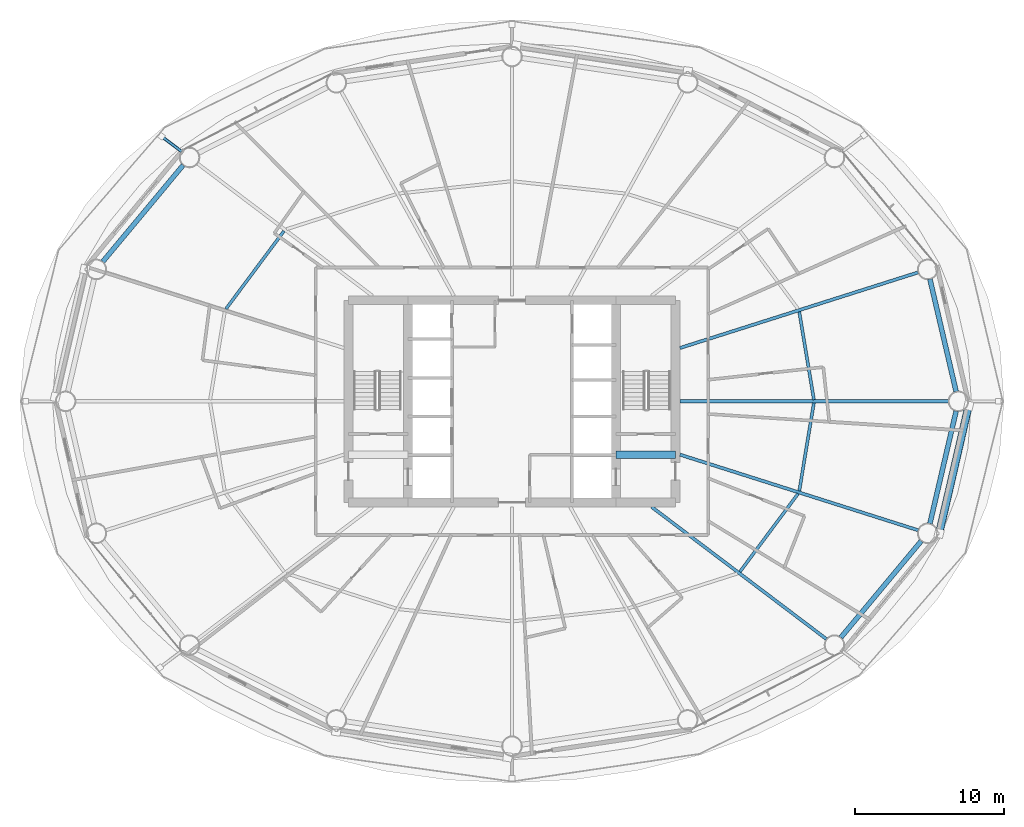
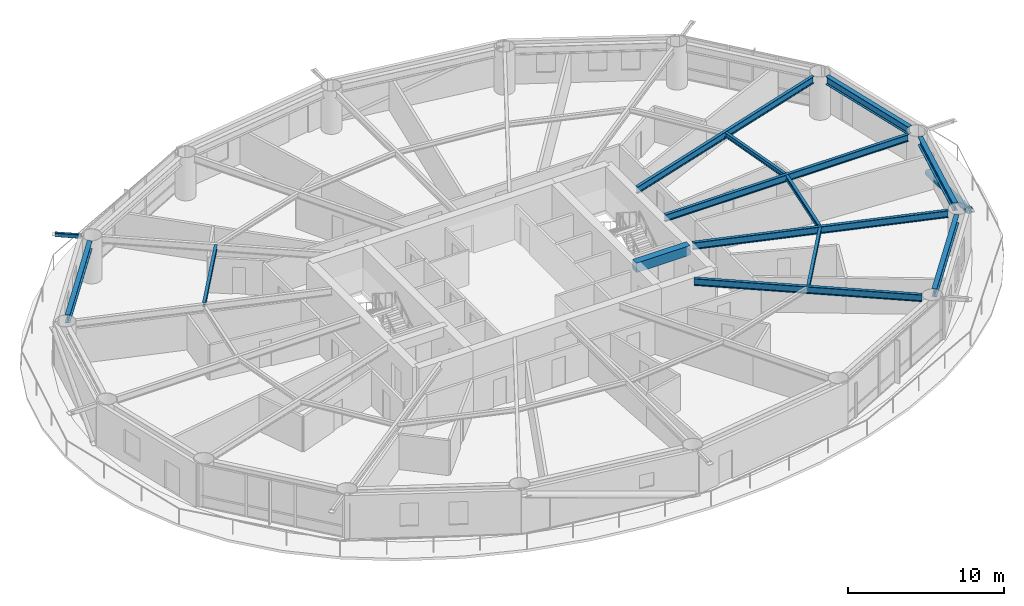
# One storey, part 9 of 26: 13 beams, 2 members.
"""IFC4 building model written with IfcOpenShell, lengths in metres."""

from ifc_helpers import new_model, si_unit, direction, frame, origin, origin_2d, place, context, subcontext, project, spatial, rectangle, hollow_rectangle, hollow_circle, i_section, extrude, material, material_profile, profile_set, type_object, element, save


model = new_model("IFC4")

# Units and contexts
model_context = context("Model", 3, precision=1e-05, world=origin(), true_north=direction((0.0, 1.0)))
body_context = subcontext(model_context, "Body", "Model", "MODEL_VIEW")
ifc_project = project(units=[si_unit("LENGTHUNIT", "METRE"), si_unit("AREAUNIT", "SQUARE_METRE"), si_unit("VOLUMEUNIT", "CUBIC_METRE"), si_unit("PLANEANGLEUNIT", "RADIAN"), si_unit("MASSUNIT", "GRAM", prefix="KILO")], contexts=[model_context])

# Site, building, storey
site_placement = place(None, origin())
site = spatial("IfcSite", under=ifc_project, at=site_placement, CompositionType="ELEMENT")
building_placement = place(site_placement, origin())
building = spatial("IfcBuilding", under=site, at=building_placement, Name="Sarneth Arch Tower", CompositionType="ELEMENT")
storey_placement = place(building_placement, frame((0.0, 0.0, 49.800048828125)))
storey = spatial("IfcBuildingStorey", under=building, at=storey_placement, Name="L11", CompositionType="ELEMENT", Elevation=49.800048828125)

# Beams
ifc_material_1 = material(Name="Steel S355", Category="steel")
ifc_material_profile_1 = material_profile(ifc_material_1, i_section(OverallWidth=0.2041015625, OverallDepth=0.35009765625, WebThickness=0.008544921875, FlangeThickness=0.01513671875, FilletRadius=0.014892578125, at=origin_2d()), Name="W360x72")
ifc_profile_set_1 = profile_set([ifc_material_profile_1], Name="Steel S355")
beam_type_1 = type_object("IfcBeamType", Name="BM-JOIST-360D", PredefinedType="JOIST", material=ifc_profile_set_1)
beam_1_placement = place(storey_placement, frame((68.312255859375, 42.10546875, 3.204833984375), z_axis=(-0.163917352659, 0.986474075431, 0.0), x_axis=(-0.986474075431, -0.163917352659, 0.0)))
element("IfcBeam", 1, at=beam_1_placement, inside=storey, type_object=beam_type_1, Name="L11 Secondary floor joist 01", PredefinedType="JOIST", context=body_context, shape_type="SweptSolid", body=[
    extrude(i_section(OverallWidth=0.2041015625, OverallDepth=0.35009765625, WebThickness=0.008544921875, FlangeThickness=0.01513671875, FilletRadius=0.014892578125, at=origin_2d()), origin(), (0.0, 0.0, 1.0), 6.000732421875),
])
for number, where, z_axis, x_axis, name in (
    (2, (32.661865234375, 53.463134765625, 3.204833984375), (-0.597453564101, -0.801903509621, 0.0), (0.801903509621, -0.597453564101, 0.0), "L11 Secondary floor joist 07"),
    (3, (63.338134765625, 30.536865234375, 3.204833984375), (0.597453564101, 0.801903509621, 0.0), (-0.801903509621, 0.597453564101, 0.0), "L11 Secondary floor joist 15"),
):
    element("IfcBeam", number, at=place(storey_placement, frame(where, z_axis=z_axis, x_axis=x_axis)), inside=storey, type_object=beam_type_1, Name=name, PredefinedType="JOIST", context=body_context, shape_type="SweptSolid", body=[
        extrude(i_section(OverallWidth=0.2041015625, OverallDepth=0.35009765625, WebThickness=0.008544921875, FlangeThickness=0.01513671875, FilletRadius=0.014892578125, at=origin_2d()), origin(), (0.0, 0.0, 1.0), 6.542724609375),
    ])
beam_2_placement = place(storey_placement, frame((67.32861328125, 35.974853515625, 3.204833984375), z_axis=(0.163917352659, 0.986474075431, 0.0), x_axis=(-0.986474075431, 0.163917352659, 0.0)))
element("IfcBeam", 4, at=beam_2_placement, inside=storey, type_object=beam_type_1, Name="L11 Secondary floor joist 16", PredefinedType="JOIST", context=body_context, shape_type="SweptSolid", body=[
    extrude(i_section(OverallWidth=0.2041015625, OverallDepth=0.35009765625, WebThickness=0.008544921875, FlangeThickness=0.01513671875, FilletRadius=0.014892578125, at=origin_2d()), origin(), (0.0, 0.0, 1.0), 6.000732421875),
])
ifc_material_2 = material(Name="Concrete C50/60", Category="concrete")
ifc_material_profile_2 = material_profile(ifc_material_2, rectangle(XDim=0.5, YDim=0.75, at=origin_2d()), Name="RC-500x750")
ifc_profile_set_2 = profile_set([ifc_material_profile_2], Name="Concrete C50/60")
beam_type_2 = type_object("IfcBeamType", Name="BM-LINTEL-RC", PredefinedType="LINTEL", material=ifc_profile_set_2)
beam_3_placement = place(storey_placement, frame((55.0, 38.39990234375, 3.0048828125), z_axis=(1.0, 0.0, 0.0), x_axis=(0.0, 1.0, 0.0)))
element("IfcBeam", 5, at=beam_3_placement, inside=storey, type_object=beam_type_2, Name="L11 Core coupling lintel E", PredefinedType="LINTEL", context=body_context, shape_type="SweptSolid", body=[
    extrude(rectangle(XDim=0.5, YDim=0.75, at=origin_2d()), origin(), (0.0, 0.0, 1.0), 4.0),
])
ifc_material_3 = material(Name="Steel S355", Category="steel")
ifc_material_profile_3 = material_profile(ifc_material_3, i_section(OverallWidth=0.214111328125, OverallDepth=0.549072265625, WebThickness=0.0146484375, FlangeThickness=0.023681640625, FilletRadius=0.01806640625, at=origin_2d()), Name="W530x138")
ifc_profile_set_3 = profile_set([ifc_material_profile_3], Name="Steel S355")
beam_type_3 = type_object("IfcBeamType", Name="BM-RAD-530A", PredefinedType="BEAM", material=ifc_profile_set_3)
beam_4_placement = place(storey_placement, frame((59.300048828125, 42.0, 3.10546875), z_axis=(1.0, 0.0, 0.0), x_axis=(0.0, 1.0, 0.0)))
element("IfcBeam", 6, at=beam_4_placement, inside=storey, type_object=beam_type_3, Name="L11 Radial floor girder 01", PredefinedType="BEAM", context=body_context, shape_type="SweptSolid", body=[
    extrude(i_section(OverallWidth=0.214111328125, OverallDepth=0.549072265625, WebThickness=0.0146484375, FlangeThickness=0.023681640625, FilletRadius=0.01806640625, at=origin_2d()), origin(), (0.0, 0.0, 1.0), 18.059814453125),
])
beam_5_placement = place(storey_placement, frame((59.300048828125, 45.58740234375, 3.10546875), z_axis=(0.953119945629, 0.302592744864, 0.0), x_axis=(-0.302592744864, 0.953119945629, 0.0)))
element("IfcBeam", 7, at=beam_5_placement, inside=storey, type_object=beam_type_3, Name="L11 Radial floor girder 02", PredefinedType="BEAM", context=body_context, shape_type="SweptSolid", body=[
    extrude(i_section(OverallWidth=0.214111328125, OverallDepth=0.549072265625, WebThickness=0.0146484375, FlangeThickness=0.023681640625, FilletRadius=0.01806640625, at=origin_2d()), origin(), (0.0, 0.0, 1.0), 16.810302734375),
])
beam_6_placement = place(storey_placement, frame((57.390380859375, 34.89990234375, 3.10546875), z_axis=(0.797656612852, -0.603111870198, 0.0), x_axis=(0.603111870198, 0.797656612852, 0.0)))
element("IfcBeam", 8, at=beam_6_placement, inside=storey, type_object=beam_type_3, Name="L11 Radial floor girder 15", PredefinedType="BEAM", context=body_context, shape_type="SweptSolid", body=[
    extrude(i_section(OverallWidth=0.214111328125, OverallDepth=0.549072265625, WebThickness=0.0146484375, FlangeThickness=0.023681640625, FilletRadius=0.01806640625, at=origin_2d()), origin(), (0.0, 0.0, 1.0), 14.7529296875),
])
beam_7_placement = place(storey_placement, frame((59.300048828125, 38.41259765625, 3.10546875), z_axis=(0.953119945629, -0.302592744864, 0.0), x_axis=(0.302592744864, 0.953119945629, 0.0)))
element("IfcBeam", 9, at=beam_7_placement, inside=storey, type_object=beam_type_3, Name="L11 Radial floor girder 16", PredefinedType="BEAM", context=body_context, shape_type="SweptSolid", body=[
    extrude(i_section(OverallWidth=0.214111328125, OverallDepth=0.549072265625, WebThickness=0.0146484375, FlangeThickness=0.023681640625, FilletRadius=0.01806640625, at=origin_2d()), origin(), (0.0, 0.0, 1.0), 16.810302734375),
])
ifc_material_4 = material(Name="Steel S355", Category="steel")
ifc_material_profile_4 = material_profile(ifc_material_4, i_section(OverallWidth=0.326904296875, OverallDepth=0.6220703125, WebThickness=0.015380859375, FlangeThickness=0.0244140625, FilletRadius=0.01904296875, at=origin_2d()), Name="W610x195")
ifc_profile_set_4 = profile_set([ifc_material_profile_4], Name="Steel S355")
beam_type_4 = type_object("IfcBeamType", Name="BM-SPAN-610A", PredefinedType="SPANDREL", material=ifc_profile_set_4)
beam_8_placement = place(storey_placement, frame((77.881591796875, 42.657470703125, 3.06884765625), z_axis=(-0.227001042423, 0.973894515201, 0.0), x_axis=(-0.973894515201, -0.227001042423, 0.0)))
element("IfcBeam", 10, at=beam_8_placement, inside=storey, type_object=beam_type_4, Name="L11 Perimeter spandrel beam 01", PredefinedType="SPANDREL", context=body_context, shape_type="SweptSolid", body=[
    extrude(i_section(OverallWidth=0.326904296875, OverallDepth=0.6220703125, WebThickness=0.015380859375, FlangeThickness=0.0244140625, FilletRadius=0.01904296875, at=origin_2d()), origin(), (0.0, 0.0, 1.0), 7.76611328125),
])
for number, where, z_axis, x_axis, name in (
    (11, (25.871337890625, 57.88623046875, 3.06884765625), (-0.639979646835, -0.768391860731, 0.0), (0.768391860731, -0.639979646835, 0.0), "L11 Perimeter spandrel beam 07"),
    (12, (70.128662109375, 26.11376953125, 3.06884765625), (0.639979646835, 0.768391860731, 0.0), (-0.768391860731, 0.639979646835, 0.0), "L11 Perimeter spandrel beam 15"),
):
    element("IfcBeam", number, at=place(storey_placement, frame(where, z_axis=z_axis, x_axis=x_axis)), inside=storey, type_object=beam_type_4, Name=name, PredefinedType="SPANDREL", context=body_context, shape_type="SweptSolid", body=[
        extrude(i_section(OverallWidth=0.326904296875, OverallDepth=0.6220703125, WebThickness=0.015380859375, FlangeThickness=0.0244140625, FilletRadius=0.01904296875, at=origin_2d()), origin(), (0.0, 0.0, 1.0), 8.4453125),
    ])
beam_9_placement = place(storey_placement, frame((76.11865234375, 33.779052734375, 3.06884765625), z_axis=(0.227001042423, 0.973894515201, 0.0), x_axis=(-0.973894515201, 0.227001042423, 0.0)))
element("IfcBeam", 13, at=beam_9_placement, inside=storey, type_object=beam_type_4, Name="L11 Perimeter spandrel beam 16", PredefinedType="SPANDREL", context=body_context, shape_type="SweptSolid", body=[
    extrude(i_section(OverallWidth=0.326904296875, OverallDepth=0.6220703125, WebThickness=0.015380859375, FlangeThickness=0.0244140625, FilletRadius=0.01904296875, at=origin_2d()), origin(), (0.0, 0.0, 1.0), 7.76611328125),
])

# Members
ifc_material_5 = material(Name="Steel S355", Category="steel")
ifc_material_profile_5 = material_profile(ifc_material_5, hollow_rectangle(XDim=0.199951171875, YDim=0.300048828125, WallThickness=0.012451171875, InnerFilletRadius=0.018798828125, OuterFilletRadius=0.03125, at=origin_2d()), Name="RHS300x200x12.5")
ifc_profile_set_5 = profile_set([ifc_material_profile_5], Name="Steel S355")
member_type_1 = type_object("IfcMemberType", Name="MEM-CANT-STRUT", PredefinedType="STRUT", material=ifc_profile_set_5)
member_1_placement = place(storey_placement, frame((25.764892578125, 58.81201171875, 3.219970703125), z_axis=(-0.797626999099, 0.603151034409, 0.0), x_axis=(-0.603151034409, -0.797626999099, 0.0)))
element("IfcMember", 14, at=member_1_placement, inside=storey, type_object=member_type_1, Name="L11 Balcony cantilever bracket 07", PredefinedType="STRUT", context=body_context, shape_type="SweptSolid", body=[
    extrude(hollow_rectangle(XDim=0.199951171875, YDim=0.300048828125, WallThickness=0.012451171875, InnerFilletRadius=0.018798828125, OuterFilletRadius=0.03125, at=origin_2d()), origin(), (0.0, 0.0, 1.0), 1.683349609375),
])
ifc_material_6 = material(Name="Steel S355", Category="steel")
ifc_material_profile_6 = material_profile(ifc_material_6, hollow_circle(Radius=0.25390625, WallThickness=0.01611328125, at=origin_2d()), Name="CHS508x16")
ifc_profile_set_6 = profile_set([ifc_material_profile_6], Name="Steel S355")
member_type_2 = type_object("IfcMemberType", Name="MEM-DIAG-BR1", PredefinedType="BRACE", material=ifc_profile_set_6)
member_2_placement = place(storey_placement, frame((78.725341796875, 41.707763671875, 0.02001953125), z_axis=(-0.213332307958, -0.922814312474, 0.320785085492), x_axis=(0.974304339016, -0.225235554419, 0.0)))
element("IfcMember", 15, at=member_2_placement, inside=storey, type_object=member_type_2, Name="L11 Perimeter frame diagonal 16", PredefinedType="BRACE", context=body_context, shape_type="SweptSolid", body=[
    extrude(hollow_circle(Radius=0.25390625, WallThickness=0.01611328125, at=origin_2d()), origin(), (0.0, 0.0, 1.0), 9.31103515625),
])

save(model, "model.ifc")
